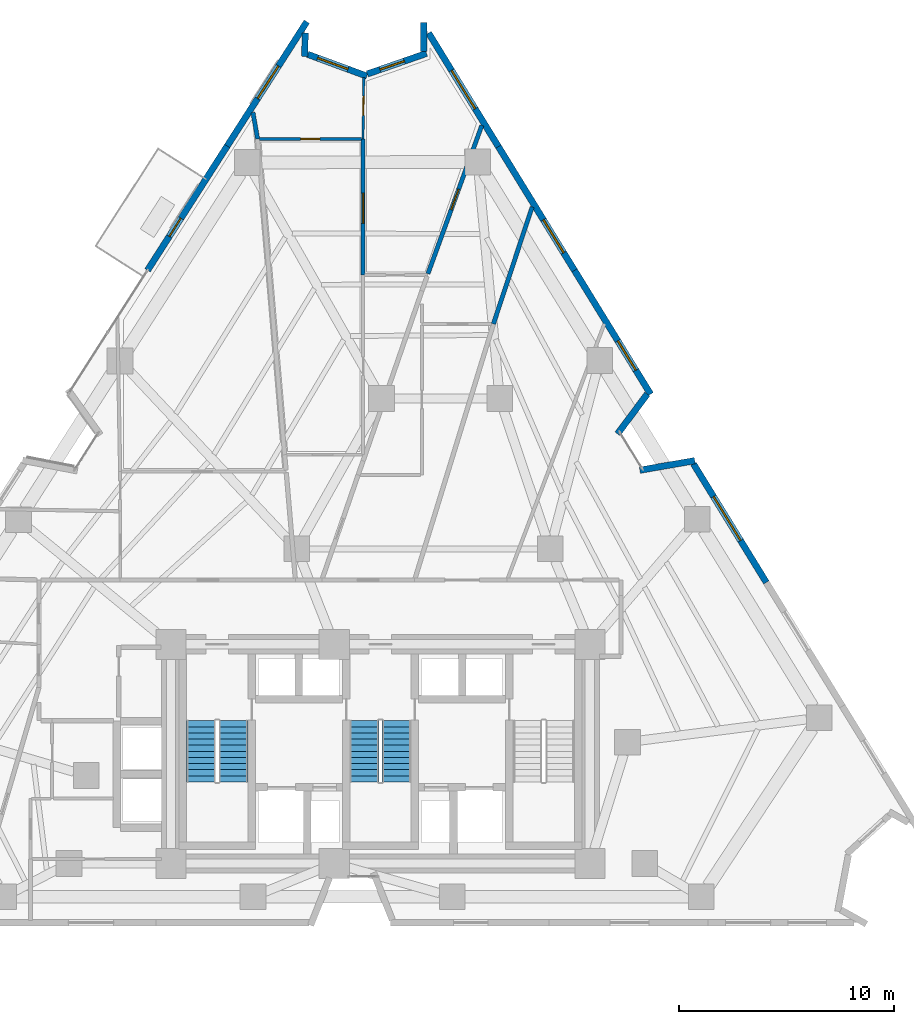
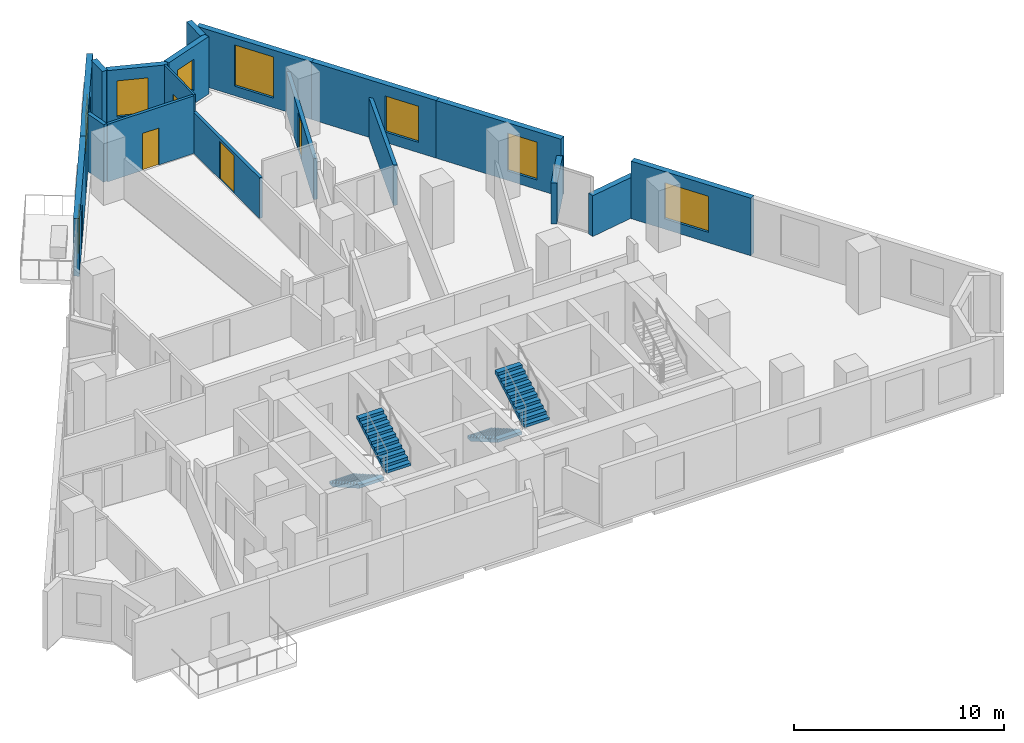
# One storey, part 9 of 13: 18 walls, 7 windows, 5 doors, 4 stair flights, 12 openings, 2 elements without a shape of their own.
"""IFC4 building model written with IfcOpenShell, lengths in metres."""

from ifc_helpers import new_model, si_unit, direction, frame, frame_2d, origin, place, context, subcontext, project, spatial, polyline, rectangle, outline, extrude, material, layer, layer_set, type_object, element, fill, aggregate, save


model = new_model("IFC4")

# Units and contexts
model_context = context("Model", 3, precision=1e-05, world=origin(), true_north=direction((0.0, 1.0)))
body_context = subcontext(model_context, "Body", "Model", "MODEL_VIEW")
ifc_project = project(units=[si_unit("LENGTHUNIT", "METRE"), si_unit("AREAUNIT", "SQUARE_METRE"), si_unit("VOLUMEUNIT", "CUBIC_METRE"), si_unit("PLANEANGLEUNIT", "RADIAN"), si_unit("MASSUNIT", "GRAM", prefix="KILO")], contexts=[model_context])

# Site, building, storey
site_placement = place(None, origin())
site = spatial("IfcSite", under=ifc_project, at=site_placement, CompositionType="ELEMENT")
building_placement = place(site_placement, origin())
building = spatial("IfcBuilding", under=site, at=building_placement, Name="Almagre Mirador Tower", CompositionType="ELEMENT")
storey_placement = place(building_placement, frame((0.0, 0.0, 89.39990234375)))
storey = spatial("IfcBuildingStorey", under=building, at=storey_placement, Name="L22", CompositionType="ELEMENT", Elevation=89.39990234375)

# Wall, opening, door
ifc_material_1 = material(Name="Precast concrete C50/60", Category="concrete")
ifc_layer_1 = layer(ifc_material_1, 0.300048828125)
ifc_layer_set_1 = layer_set([ifc_layer_1], Name="Precast concrete C50/60")
wall_type_1 = type_object("IfcWallType", Name="WAL-EXT-300", PredefinedType="SOLIDWALL", material=ifc_layer_set_1)
wall_1_placement = place(storey_placement, frame((26.45654296875, 32.16796875, 0.0), z_axis=(0.0, 0.0, 1.0), x_axis=(0.539456903464, 0.842013212072, 0.0)))
wall_1 = element("IfcWall", 1, at=wall_1_placement, inside=storey, type_object=wall_type_1, Name="L22 expressed almagre precast frame wall 03", PredefinedType="SOLIDWALL", context=body_context, shape_type="SweptSolid", body=[
    extrude(rectangle(XDim=6.871826171875, YDim=0.300048828125, at=frame_2d((3.43603515625, 0.0))), origin(), (0.0, 0.0, 1.0), 3.35009765625),
])
opening_1_placement = place(wall_1_placement, frame((1.879638671875, 0.0, 0.0)))
opening_1 = element("IfcOpeningElement", 2, at=opening_1_placement, cuts=wall_1, Name="Opening BD-01", PredefinedType="OPENING", context=body_context, shape_type="SweptSolid", body=[
    extrude(rectangle(XDim=1.0, YDim=2.199951171875, at=frame_2d((0.5, 1.10009765625))), frame((0.0, 0.159902, 0.0), z_axis=(0.0, -1.0, 0.0), x_axis=(1.0, 0.0, 0.0)), (0.0, 0.0, 1.0), 0.320049),
])
ifc_material_2 = material(Name="Black anodized aluminium and laminated glass", Category="aluminium")
door_type_1 = type_object("IfcDoorType", Name="DOR-BAL-1000X2200", OperationType="NOTDEFINED", PredefinedType="DOOR", material=ifc_material_2)
door_1_placement = place(opening_1_placement, origin())
door_1 = element("IfcDoor", 3, at=door_1_placement, inside=storey, type_object=door_type_1, Name="DR-0740 L22 west balcony glazed door 2", OperationType="SINGLE_SWING_RIGHT", OverallHeight=2.199951171875, OverallWidth=1.0, PredefinedType="DOOR", context=body_context, shape_type="SweptSolid", body=[
    extrude(rectangle(XDim=1.0, YDim=2.199951171875, at=frame_2d((0.5, 1.10009765625))), frame((0.0, 0.02490234375, 0.0), z_axis=(0.0, -1.0, 0.0), x_axis=(1.0, 0.0, 0.0)), (0.0, 0.0, 1.0), 0.050048828125),
])
fill(opening_1, door_1)

# Wall, opening, window
wall_2_placement = place(storey_placement, frame((30.16357421875, 37.9541015625, 0.0), z_axis=(0.0, 0.0, 1.0), x_axis=(0.539473041718, 0.842002872477, 0.0)))
wall_2 = element("IfcWall", 4, at=wall_2_placement, inside=storey, type_object=wall_type_1, Name="L22 expressed almagre precast frame wall 04", PredefinedType="SOLIDWALL", context=body_context, shape_type="SweptSolid", body=[
    extrude(rectangle(XDim=6.87158203125, YDim=0.300048828125, at=frame_2d((3.435791015625, 0.0))), origin(), (0.0, 0.0, 1.0), 3.35009765625),
])
opening_2_placement = place(wall_2_placement, frame((2.625, 0.0, 0.60009765625)))
opening_2 = element("IfcOpeningElement", 5, at=opening_2_placement, cuts=wall_2, Name="Opening WN-01", PredefinedType="OPENING", context=body_context, shape_type="SweptSolid", body=[
    extrude(rectangle(XDim=1.800048828125, YDim=2.10009765625, at=frame_2d((0.89990234375, 1.050048828125))), frame((0.0, 0.159902, 0.0), z_axis=(0.0, -1.0, 0.0), x_axis=(1.0, 0.0, 0.0)), (0.0, 0.0, 1.0), 0.320049),
])
ifc_material_3 = material(Name="Dark solar-control laminated hurricane glass", Category="glass")
window_type_1 = type_object("IfcWindowType", Name="WIN-1800X2100", PartitioningType="DOUBLE_PANEL_VERTICAL", PredefinedType="WINDOW", material=ifc_material_3)
window_1_placement = place(opening_2_placement, origin())
window_1 = element("IfcWindow", 6, at=window_1_placement, inside=storey, type_object=window_type_1, Name="L22 recessed hurricane window L22-UH-B2", OverallHeight=2.10009765625, OverallWidth=1.800048828125, PartitioningType="SINGLE_PANEL", PredefinedType="WINDOW", context=body_context, shape_type="SweptSolid", body=[
    extrude(rectangle(XDim=1.800048828125, YDim=2.10009765625, at=frame_2d((0.89990234375, 1.050048828125))), frame((0.0, 0.030029296875, 0.0), z_axis=(0.0, -1.0, 0.0), x_axis=(1.0, 0.0, 0.0)), (0.0, 0.0, 1.0), 0.06005859375),
])
fill(opening_2, window_1)

# Wall
wall_3_placement = place(storey_placement, frame((33.791015625, 43.20703125, 0.0), z_axis=(0.0, 0.0, 1.0), x_axis=(-0.009538516763, -0.999954507314, 0.0)))
element("IfcWall", 7, at=wall_3_placement, inside=storey, type_object=wall_type_1, Name="L22 expressed almagre precast frame wall 05", PredefinedType="SOLIDWALL", context=body_context, shape_type="SweptSolid", body=[
    extrude(rectangle(XDim=1.074951171875, YDim=0.300048828125, at=frame_2d((0.53759765625, 0.0))), origin(), (0.0, 0.0, 1.0), 3.35009765625),
])

# Wall, opening, window
wall_4_placement = place(storey_placement, frame((33.90869140625, 42.225341796875, 0.0), z_axis=(0.0, 0.0, 1.0), x_axis=(0.938225446259, -0.346024582931, 0.0)))
wall_4 = element("IfcWall", 8, at=wall_4_placement, inside=storey, type_object=wall_type_1, Name="L22 expressed almagre precast frame wall 06", PredefinedType="SOLIDWALL", context=body_context, shape_type="SweptSolid", body=[
    extrude(rectangle(XDim=2.94140625, YDim=0.300048828125, at=frame_2d((1.470703125, 0.0))), origin(), (0.0, 0.0, 1.0), 3.35009765625),
])
opening_3_placement = place(wall_4_placement, frame((0.5, 0.0, 0.60009765625)))
opening_3 = element("IfcOpeningElement", 9, at=opening_3_placement, cuts=wall_4, Name="Opening WN-03", PredefinedType="OPENING", context=body_context, shape_type="SweptSolid", body=[
    extrude(rectangle(XDim=1.5, YDim=2.10009765625, at=frame_2d((0.75, 1.050048828125))), frame((0.0, 0.159902, 0.0), z_axis=(0.0, -1.0, 0.0), x_axis=(1.0, 0.0, 0.0)), (0.0, 0.0, 1.0), 0.320049),
])
ifc_material_4 = material(Name="Dark solar-control laminated hurricane glass", Category="glass")
window_type_2 = type_object("IfcWindowType", Name="WIN-1500X2100", PartitioningType="DOUBLE_PANEL_VERTICAL", PredefinedType="WINDOW", material=ifc_material_4)
window_2_placement = place(opening_3_placement, origin())
window_2 = element("IfcWindow", 10, at=window_2_placement, inside=storey, type_object=window_type_2, Name="L22 recessed hurricane window L22-UH-B2", OverallHeight=2.10009765625, OverallWidth=1.5, PartitioningType="SINGLE_PANEL", PredefinedType="WINDOW", context=body_context, shape_type="SweptSolid", body=[
    extrude(rectangle(XDim=1.5, YDim=2.10009765625, at=frame_2d((0.75, 1.050048828125))), frame((0.0, 0.030029296875, 0.0), z_axis=(0.0, -1.0, 0.0), x_axis=(1.0, 0.0, 0.0)), (0.0, 0.0, 1.0), 0.06005859375),
])
fill(opening_3, window_2)

wall_5_placement = place(storey_placement, frame((36.688232421875, 41.30859375, 0.0), z_axis=(0.0, 0.0, 1.0), x_axis=(0.944571305793, 0.328306332978, 0.0)))
wall_5 = element("IfcWall", 11, at=wall_5_placement, inside=storey, type_object=wall_type_1, Name="L22 expressed almagre precast frame wall 07", PredefinedType="SOLIDWALL", context=body_context, shape_type="SweptSolid", body=[
    extrude(rectangle(XDim=2.91650390625, YDim=0.300048828125, at=frame_2d((1.458251953125, 0.0))), origin(), (0.0, 0.0, 1.0), 3.35009765625),
])
opening_4_placement = place(wall_5_placement, frame((0.625, 0.0, 0.800048828125)))
opening_4 = element("IfcOpeningElement", 12, at=opening_4_placement, cuts=wall_5, Name="Opening WN-04", PredefinedType="OPENING", context=body_context, shape_type="SweptSolid", body=[
    extrude(rectangle(XDim=1.199951171875, YDim=1.800048828125, at=frame_2d((0.60009765625, 0.89990234375))), frame((0.0, 0.159902, 0.0), z_axis=(0.0, -1.0, 0.0), x_axis=(1.0, 0.0, 0.0)), (0.0, 0.0, 1.0), 0.320049),
])
ifc_material_5 = material(Name="Dark solar-control laminated hurricane glass", Category="glass")
window_type_3 = type_object("IfcWindowType", Name="WIN-1200X1800", PartitioningType="SINGLE_PANEL", PredefinedType="WINDOW", material=ifc_material_5)
window_3_placement = place(opening_4_placement, origin())
window_3 = element("IfcWindow", 13, at=window_3_placement, inside=storey, type_object=window_type_3, Name="L22 recessed hurricane window L22-UH-SL1", OverallHeight=1.800048828125, OverallWidth=1.199951171875, PartitioningType="SINGLE_PANEL", PredefinedType="WINDOW", context=body_context, shape_type="SweptSolid", body=[
    extrude(rectangle(XDim=1.199951171875, YDim=1.800048828125, at=frame_2d((0.60009765625, 0.89990234375))), frame((0.0, 0.030029296875, 0.0), z_axis=(0.0, -1.0, 0.0), x_axis=(1.0, 0.0, 0.0)), (0.0, 0.0, 1.0), 0.06005859375),
])
fill(opening_4, window_3)

# Wall
wall_6_placement = place(storey_placement, frame((39.312255859375, 42.35498046875, 0.0), z_axis=(0.0, 0.0, 1.0), x_axis=(0.008828484753, 0.999961028169, 0.0)))
element("IfcWall", 14, at=wall_6_placement, inside=storey, type_object=wall_type_1, Name="L22 expressed almagre precast frame wall 08", PredefinedType="SOLIDWALL", context=body_context, shape_type="SweptSolid", body=[
    extrude(rectangle(XDim=1.35498046875, YDim=0.300048828125, at=frame_2d((0.677490234375, 0.0))), origin(), (0.0, 0.0, 1.0), 3.35009765625),
])

# Wall, opening, window
wall_7_placement = place(storey_placement, frame((39.540283203125, 43.216552734375, 0.0), z_axis=(0.0, 0.0, 1.0), x_axis=(0.523687194625, -0.851910630398, 0.0)))
wall_7 = element("IfcWall", 15, at=wall_7_placement, inside=storey, type_object=wall_type_1, Name="L22 expressed almagre precast frame wall 09", PredefinedType="SOLIDWALL", context=body_context, shape_type="SweptSolid", body=[
    extrude(rectangle(XDim=6.210205078125, YDim=0.300048828125, at=frame_2d((3.10498046875, 0.0))), origin(), (0.0, 0.0, 1.0), 3.35009765625),
])
opening_5_placement = place(wall_7_placement, frame((2.044921875, 0.0, 0.550048828125)))
opening_5 = element("IfcOpeningElement", 16, at=opening_5_placement, cuts=wall_7, Name="Opening WN-05", PredefinedType="OPENING", context=body_context, shape_type="SweptSolid", body=[
    extrude(rectangle(XDim=2.10009765625, YDim=2.39990234375, at=frame_2d((1.050048828125, 1.199951171875))), frame((0.0, 0.159902, 0.0), z_axis=(0.0, -1.0, 0.0), x_axis=(1.0, 0.0, 0.0)), (0.0, 0.0, 1.0), 0.320049),
])
ifc_material_6 = material(Name="Dark solar-control laminated hurricane glass", Category="glass")
window_type_4 = type_object("IfcWindowType", Name="WIN-2100X2400", PartitioningType="DOUBLE_PANEL_VERTICAL", PredefinedType="WINDOW", material=ifc_material_6)
window_4_placement = place(opening_5_placement, origin())
window_4 = element("IfcWindow", 17, at=window_4_placement, inside=storey, type_object=window_type_4, Name="L22 recessed hurricane window L22-UH-SL1", OverallHeight=2.39990234375, OverallWidth=2.10009765625, PartitioningType="SINGLE_PANEL", PredefinedType="WINDOW", context=body_context, shape_type="SweptSolid", body=[
    extrude(rectangle(XDim=2.10009765625, YDim=2.39990234375, at=frame_2d((1.050048828125, 1.199951171875))), frame((0.0, 0.030029296875, 0.0), z_axis=(0.0, -1.0, 0.0), x_axis=(1.0, 0.0, 0.0)), (0.0, 0.0, 1.0), 0.06005859375),
])
fill(opening_5, window_4)

wall_8_placement = place(storey_placement, frame((42.79248046875, 37.926025390625, 0.0), z_axis=(0.0, 0.0, 1.0), x_axis=(0.523710779633, -0.851896131754, 0.0)))
wall_8 = element("IfcWall", 18, at=wall_8_placement, inside=storey, type_object=wall_type_1, Name="L22 expressed almagre precast frame wall 10", PredefinedType="SOLIDWALL", context=body_context, shape_type="SweptSolid", body=[
    extrude(rectangle(XDim=6.76513671875, YDim=0.300048828125, at=frame_2d((3.382568359375, 0.0))), origin(), (0.0, 0.0, 1.0), 3.35009765625),
])
opening_6_placement = place(wall_8_placement, frame((4.0, 0.0, 0.60009765625)))
opening_6 = element("IfcOpeningElement", 19, at=opening_6_placement, cuts=wall_8, Name="Opening WN-01", PredefinedType="OPENING", context=body_context, shape_type="SweptSolid", body=[
    extrude(rectangle(XDim=1.800048828125, YDim=2.10009765625, at=frame_2d((0.89990234375, 1.050048828125))), frame((0.0, 0.159902, 0.0), z_axis=(0.0, -1.0, 0.0), x_axis=(1.0, 0.0, 0.0)), (0.0, 0.0, 1.0), 0.320049),
])
window_5_placement = place(opening_6_placement, origin())
window_5 = element("IfcWindow", 20, at=window_5_placement, inside=storey, type_object=window_type_1, Name="L22 recessed hurricane window L22-RST-G", OverallHeight=2.10009765625, OverallWidth=1.800048828125, PartitioningType="SINGLE_PANEL", PredefinedType="WINDOW", context=body_context, shape_type="SweptSolid", body=[
    extrude(rectangle(XDim=1.800048828125, YDim=2.10009765625, at=frame_2d((0.89990234375, 1.050048828125))), frame((0.0, 0.030029296875, 0.0), z_axis=(0.0, -1.0, 0.0), x_axis=(1.0, 0.0, 0.0)), (0.0, 0.0, 1.0), 0.06005859375),
])
fill(opening_6, window_5)

wall_9_placement = place(storey_placement, frame((46.33544921875, 32.162841796875, 0.0), z_axis=(0.0, 0.0, 1.0), x_axis=(0.523710779633, -0.851896131754, 0.0)))
wall_9 = element("IfcWall", 21, at=wall_9_placement, inside=storey, type_object=wall_type_1, Name="L22 expressed almagre precast frame wall 11", PredefinedType="SOLIDWALL", context=body_context, shape_type="SweptSolid", body=[
    extrude(rectangle(XDim=6.76513671875, YDim=0.300048828125, at=frame_2d((3.382568359375, 0.0))), origin(), (0.0, 0.0, 1.0), 3.35009765625),
])
opening_7_placement = place(wall_9_placement, frame((3.85009765625, 0.0, 0.550048828125)))
opening_7 = element("IfcOpeningElement", 22, at=opening_7_placement, cuts=wall_9, Name="Opening WN-06", PredefinedType="OPENING", context=body_context, shape_type="SweptSolid", body=[
    extrude(rectangle(XDim=1.60009765625, YDim=2.199951171875, at=frame_2d((0.800048828125, 1.10009765625))), frame((0.0, 0.159902, 0.0), z_axis=(0.0, -1.0, 0.0), x_axis=(1.0, 0.0, 0.0)), (0.0, 0.0, 1.0), 0.320049),
])
ifc_material_7 = material(Name="Dark solar-control laminated hurricane glass", Category="glass")
window_type_5 = type_object("IfcWindowType", Name="WIN-1600X2200", PartitioningType="DOUBLE_PANEL_VERTICAL", PredefinedType="WINDOW", material=ifc_material_7)
window_6_placement = place(opening_7_placement, origin())
window_6 = element("IfcWindow", 23, at=window_6_placement, inside=storey, type_object=window_type_5, Name="L22 recessed hurricane window L22-RST-E", OverallHeight=2.199951171875, OverallWidth=1.60009765625, PartitioningType="SINGLE_PANEL", PredefinedType="WINDOW", context=body_context, shape_type="SweptSolid", body=[
    extrude(rectangle(XDim=1.60009765625, YDim=2.199951171875, at=frame_2d((0.800048828125, 1.10009765625))), frame((0.0, 0.030029296875, 0.0), z_axis=(0.0, -1.0, 0.0), x_axis=(1.0, 0.0, 0.0)), (0.0, 0.0, 1.0), 0.06005859375),
])
fill(opening_7, window_6)

# Walls
wall_10_placement = place(storey_placement, frame((49.72119140625, 26.40673828125, 0.0), z_axis=(0.0, 0.0, 1.0), x_axis=(-0.597938773595, -0.801541778719, 0.0)))
element("IfcWall", 24, at=wall_10_placement, inside=storey, type_object=wall_type_1, Name="L22 expressed almagre precast frame wall 12", PredefinedType="SOLIDWALL", context=body_context, shape_type="SweptSolid", body=[
    extrude(rectangle(XDim=2.314208984375, YDim=0.300048828125, at=frame_2d((1.1572265625, 0.0))), origin(), (0.0, 0.0, 1.0), 2.375),
])
wall_11_placement = place(storey_placement, frame((49.378173828125, 22.860107421875, 0.0), z_axis=(0.0, 0.0, 1.0), x_axis=(0.985177184626, 0.171539834708, 0.0)))
element("IfcWall", 25, at=wall_11_placement, inside=storey, type_object=wall_type_1, Name="L22 expressed almagre precast frame wall 13", PredefinedType="SOLIDWALL", context=body_context, shape_type="SweptSolid", body=[
    extrude(rectangle(XDim=2.593017578125, YDim=0.300048828125, at=frame_2d((1.29638671875, 0.0))), origin(), (0.0, 0.0, 1.0), 2.375),
])

# Wall, opening, window
wall_12_placement = place(storey_placement, frame((51.868408203125, 23.161865234375, 0.0), z_axis=(0.0, 0.0, 1.0), x_axis=(0.523700384019, -0.851902522462, 0.0)))
wall_12 = element("IfcWall", 26, at=wall_12_placement, inside=storey, type_object=wall_type_1, Name="L22 expressed almagre precast frame wall 14", PredefinedType="SOLIDWALL", context=body_context, shape_type="SweptSolid", body=[
    extrude(rectangle(XDim=6.485107421875, YDim=0.300048828125, at=frame_2d((3.24267578125, 0.0))), origin(), (0.0, 0.0, 1.0), 3.35009765625),
])
opening_8_placement = place(wall_12_placement, frame((1.794921875, 0.0, 0.60009765625)))
opening_8 = element("IfcOpeningElement", 27, at=opening_8_placement, cuts=wall_12, Name="Opening WN-02", PredefinedType="OPENING", context=body_context, shape_type="SweptSolid", body=[
    extrude(rectangle(XDim=2.39990234375, YDim=2.10009765625, at=frame_2d((1.199951171875, 1.050048828125))), frame((0.0, 0.159902, 0.0), z_axis=(0.0, -1.0, 0.0), x_axis=(1.0, 0.0, 0.0)), (0.0, 0.0, 1.0), 0.320049),
])
ifc_material_8 = material(Name="Dark solar-control laminated hurricane glass", Category="glass")
window_type_6 = type_object("IfcWindowType", Name="WIN-2400X2100", PartitioningType="TRIPLE_PANEL_VERTICAL", PredefinedType="WINDOW", material=ifc_material_8)
window_7_placement = place(opening_8_placement, origin())
window_7 = element("IfcWindow", 28, at=window_7_placement, inside=storey, type_object=window_type_6, Name="L22 recessed hurricane window L22-RST-E", OverallHeight=2.10009765625, OverallWidth=2.39990234375, PartitioningType="SINGLE_PANEL", PredefinedType="WINDOW", context=body_context, shape_type="SweptSolid", body=[
    extrude(rectangle(XDim=2.39990234375, YDim=2.10009765625, at=frame_2d((1.199951171875, 1.050048828125))), frame((0.0, 0.030029296875, 0.0), z_axis=(0.0, -1.0, 0.0), x_axis=(1.0, 0.0, 0.0)), (0.0, 0.0, 1.0), 0.06005859375),
])
fill(opening_8, window_7)

# Wall, opening, door
ifc_material_9 = material(Name="Gypsum acoustic stud partition", Category="other")
ifc_layer_2 = layer(ifc_material_9, 0.10009765625)
ifc_layer_set_2 = layer_set([ifc_layer_2], Name="Gypsum acoustic stud partition")
wall_type_2 = type_object("IfcWallType", Name="WAL-PRT-100-CLS", PredefinedType="PARTITIONING", material=ifc_layer_set_2)
wall_13_placement = place(storey_placement, frame((36.52294921875, 41.154052734375, 0.0), z_axis=(0.0, 0.0, 1.0), x_axis=(-0.011467135897, -0.999934250236, 0.0)))
wall_13 = element("IfcWall", 29, at=wall_13_placement, inside=storey, type_object=wall_type_2, Name="L22 interior partition 059", PredefinedType="PARTITIONING", context=body_context, shape_type="SweptSolid", body=[
    extrude(rectangle(XDim=2.874267578125, YDim=0.10009765625, at=frame_2d((1.43701171875, 0.0))), origin(), (0.0, 0.0, 1.0), 3.35009765625),
])
opening_9_placement = place(wall_13_placement, frame((0.87841796875, 0.0, 0.0)))
opening_9 = element("IfcOpeningElement", 30, at=opening_9_placement, cuts=wall_13, Name="Opening UD-02", PredefinedType="OPENING", context=body_context, shape_type="SweptSolid", body=[
    extrude(rectangle(XDim=0.89990234375, YDim=2.14990234375, at=frame_2d((0.449951171875, 1.074951171875))), frame((0.0, 0.060049, 0.0), z_axis=(0.0, -1.0, 0.0), x_axis=(1.0, 0.0, 0.0)), (0.0, 0.0, 1.0), 0.120098),
])
ifc_material_10 = material(Name="Solid American walnut timber", Category="wood")
door_type_2 = type_object("IfcDoorType", Name="DOR-UNR-900X2150", OperationType="NOTDEFINED", PredefinedType="DOOR", material=ifc_material_10)
door_2_placement = place(opening_9_placement, origin())
door_2 = element("IfcDoor", 31, at=door_2_placement, inside=storey, type_object=door_type_2, Name="DR-0770 L22 interior door L22-UH-SL1 to L22-UH-B2", OperationType="SINGLE_SWING_LEFT", OverallHeight=2.14990234375, OverallWidth=0.89990234375, PredefinedType="DOOR", context=body_context, shape_type="SweptSolid", body=[
    extrude(rectangle(XDim=0.89990234375, YDim=2.14990234375, at=frame_2d((0.449951171875, 1.074951171875))), frame((0.0, 0.02490234375, 0.0), z_axis=(0.0, -1.0, 0.0), x_axis=(1.0, 0.0, 0.0)), (0.0, 0.0, 1.0), 0.050048828125),
])
fill(opening_9, door_2)

ifc_material_11 = material(Name="Gypsum acoustic stud partition", Category="other")
ifc_layer_3 = layer(ifc_material_11, 0.14990234375)
ifc_layer_set_3 = layer_set([ifc_layer_3], Name="Gypsum acoustic stud partition")
wall_type_3 = type_object("IfcWallType", Name="WAL-PRT-150-STD", PredefinedType="PARTITIONING", material=ifc_layer_set_3)
wall_14_placement = place(storey_placement, frame((36.41748046875, 38.280029296875, 0.0), z_axis=(0.0, 0.0, 1.0), x_axis=(-1.0, 0.0, 0.0)))
wall_14 = element("IfcWall", 32, at=wall_14_placement, inside=storey, type_object=wall_type_3, Name="L22 interior partition 052", PredefinedType="PARTITIONING", context=body_context, shape_type="SweptSolid", body=[
    extrude(rectangle(XDim=4.75244140625, YDim=0.14990234375, at=frame_2d((2.376220703125, 0.0))), origin(), (0.0, 0.0, 1.0), 3.35009765625),
])
opening_10_placement = place(wall_14_placement, frame((1.9326171875, 0.0, 0.0)))
opening_10 = element("IfcOpeningElement", 33, at=opening_10_placement, cuts=wall_14, Name="Opening UD-02", PredefinedType="OPENING", context=body_context, shape_type="SweptSolid", body=[
    extrude(rectangle(XDim=0.89990234375, YDim=2.14990234375, at=frame_2d((0.449951171875, 1.074951171875))), frame((0.0, 0.084951, 0.0), z_axis=(0.0, -1.0, 0.0), x_axis=(1.0, 0.0, 0.0)), (0.0, 0.0, 1.0), 0.169902),
])
door_3_placement = place(opening_10_placement, origin())
door_3 = element("IfcDoor", 34, at=door_3_placement, inside=storey, type_object=door_type_2, Name="DR-0760 L22 interior door L22-UH-LV to L22-UH-B2", OperationType="SINGLE_SWING_RIGHT", OverallHeight=2.14990234375, OverallWidth=0.89990234375, PredefinedType="DOOR", context=body_context, shape_type="SweptSolid", body=[
    extrude(rectangle(XDim=0.89990234375, YDim=2.14990234375, at=frame_2d((0.449951171875, 1.074951171875))), frame((0.0, 0.02490234375, 0.0), z_axis=(0.0, -1.0, 0.0), x_axis=(1.0, 0.0, 0.0)), (0.0, 0.0, 1.0), 0.050048828125),
])
fill(opening_10, door_3)

ifc_material_12 = material(Name="Gypsum acoustic stud partition", Category="other")
ifc_layer_4 = layer(ifc_material_12, 0.175048828125)
ifc_layer_set_4 = layer_set([ifc_layer_4], Name="Gypsum acoustic stud partition")
wall_type_4 = type_object("IfcWallType", Name="WAL-PRT-175-AC", PredefinedType="PARTITIONING", material=ifc_layer_set_4)
wall_15_placement = place(storey_placement, frame((36.489990234375, 31.949951171875, 0.0), z_axis=(0.0, 0.0, 1.0), x_axis=(0.0, 1.0, 0.0)))
wall_15 = element("IfcWall", 35, at=wall_15_placement, inside=storey, type_object=wall_type_4, Name="L22 interior partition 051", PredefinedType="PARTITIONING", context=body_context, shape_type="SweptSolid", body=[
    extrude(rectangle(XDim=6.330078125, YDim=0.175048828125, at=frame_2d((3.1650390625, 0.0))), origin(), (0.0, 0.0, 1.0), 2.3701171875),
])
opening_11_placement = place(wall_15_placement, frame((2.405517578125, 0.0, 0.0)))
opening_11 = element("IfcOpeningElement", 36, at=opening_11_placement, cuts=wall_15, Name="Opening UD-05", PredefinedType="OPENING", context=body_context, shape_type="SweptSolid", body=[
    extrude(rectangle(XDim=1.39990234375, YDim=2.199951171875, at=frame_2d((0.699951171875, 1.10009765625))), frame((0.0, 0.097402, 0.0), z_axis=(0.0, -1.0, 0.0), x_axis=(1.0, 0.0, 0.0)), (0.0, 0.0, 1.0), 0.195049),
])
ifc_material_13 = material(Name="Glazed walnut salon pair", Category="wood")
door_type_3 = type_object("IfcDoorType", Name="DOR-UNR-1400X2200", OperationType="DOUBLE_DOOR_SINGLE_SWING", PredefinedType="DOOR", material=ifc_material_13)
door_4_placement = place(opening_11_placement, origin())
door_4 = element("IfcDoor", 37, at=door_4_placement, inside=storey, type_object=door_type_3, Name="DR-0767 L22 interior door L22-UH-LV to L22-UH-SL1", OperationType="DOUBLE_DOOR_SINGLE_SWING", OverallHeight=2.199951171875, OverallWidth=1.39990234375, PredefinedType="DOOR", context=body_context, shape_type="SweptSolid", body=[
    extrude(rectangle(XDim=1.39990234375, YDim=2.199951171875, at=frame_2d((0.699951171875, 1.10009765625))), frame((0.0, 0.02490234375, 0.0), z_axis=(0.0, -1.0, 0.0), x_axis=(1.0, 0.0, 0.0)), (0.0, 0.0, 1.0), 0.050048828125),
])
fill(opening_11, door_4)

# Walls
ifc_material_14 = material(Name="Gypsum acoustic stud partition", Category="other")
ifc_layer_5 = layer(ifc_material_14, 0.199951171875)
ifc_layer_set_5 = layer_set([ifc_layer_5], Name="Gypsum acoustic stud partition")
wall_type_5 = type_object("IfcWallType", Name="WAL-PRT-200-EI60", PredefinedType="PARTITIONING", material=ifc_layer_set_5)
wall_16_placement = place(storey_placement, frame((31.580078125, 38.280029296875, 0.0), z_axis=(0.0, 0.0, 1.0), x_axis=(-0.172186828925, 0.985064310563, 0.0)))
element("IfcWall", 38, at=wall_16_placement, inside=storey, type_object=wall_type_5, Name="L22 interior partition 046", PredefinedType="PARTITIONING", context=body_context, shape_type="SweptSolid", body=[
    extrude(rectangle(XDim=1.2548828125, YDim=0.199951171875, at=frame_2d((0.62744140625, 0.0))), origin(), (0.0, 0.0, 1.0), 3.35009765625),
])
wall_17_placement = place(storey_placement, frame((44.363037109375, 35.118896484375, 0.0), z_axis=(0.0, 0.0, 1.0), x_axis=(-0.314134186537, -0.949378593001, 0.0)))
element("IfcWall", 39, at=wall_17_placement, inside=storey, type_object=wall_type_5, Name="L22 interior partition 048", PredefinedType="PARTITIONING", context=body_context, shape_type="SweptSolid", body=[
    extrude(rectangle(XDim=5.739501953125, YDim=0.199951171875, at=frame_2d((2.86962890625, 0.0))), origin(), (0.0, 0.0, 1.0), 2.34521484375),
])

# Wall, opening, door
wall_18_placement = place(storey_placement, frame((39.51025390625, 32.006591796875, 0.0), z_axis=(0.0, 0.0, 1.0), x_axis=(0.341444125936, 0.939902074082, 0.0)))
wall_18 = element("IfcWall", 40, at=wall_18_placement, inside=storey, type_object=wall_type_5, Name="L22 interior partition 060", PredefinedType="PARTITIONING", context=body_context, shape_type="SweptSolid", body=[
    extrude(rectangle(XDim=7.3447265625, YDim=0.199951171875, at=frame_2d((3.67236328125, 0.0))), origin(), (0.0, 0.0, 1.0), 2.3701171875),
])
opening_12_placement = place(wall_18_placement, frame((3.18408203125, 0.0, 0.0)))
opening_12 = element("IfcOpeningElement", 41, at=opening_12_placement, cuts=wall_18, Name="Opening ID-01", PredefinedType="OPENING", context=body_context, shape_type="SweptSolid", body=[
    extrude(rectangle(XDim=1.0, YDim=2.199951171875, at=frame_2d((0.5, 1.10009765625))), frame((0.0, 0.110098, 0.0), z_axis=(0.0, -1.0, 0.0), x_axis=(1.0, 0.0, 0.0)), (0.0, 0.0, 1.0), 0.219951),
])
ifc_material_15 = material(Name="Fire-rated walnut timber", Category="wood")
door_type_4 = type_object("IfcDoorType", Name="DOR-FD60-1000X2200", OperationType="NOTDEFINED", PredefinedType="DOOR", material=ifc_material_15)
door_5_placement = place(opening_12_placement, origin())
door_5 = element("IfcDoor", 42, at=door_5_placement, inside=storey, type_object=door_type_4, Name="DR-0765 L22 interior door L22-UH-SL1 to L22-UJ-KT", OperationType="SINGLE_SWING_LEFT", OverallHeight=2.199951171875, OverallWidth=1.0, PredefinedType="DOOR", context=body_context, shape_type="SweptSolid", body=[
    extrude(rectangle(XDim=1.0, YDim=2.199951171875, at=frame_2d((0.5, 1.10009765625))), frame((0.0, 0.02490234375, 0.0), z_axis=(0.0, -1.0, 0.0), x_axis=(1.0, 0.0, 0.0)), (0.0, 0.0, 1.0), 0.050048828125),
])
fill(opening_12, door_5)

# Stair, stair flights
ifc_material_16 = material(Name="Concrete C45/55", Category="concrete")
stair_type = type_object("IfcStairType", Name="STR-DL-3600", PredefinedType="HALF_TURN_STAIR", material=ifc_material_16)
stair_1_placement = place(storey_placement, origin())
stair_1 = element("IfcStair", 43, at=stair_1_placement, inside=storey, type_object=stair_type, Name="L22 Protected exit stair ST-1", PredefinedType="HALF_TURN_STAIR")
ifc_material_17 = material(Name="Concrete C45/55", Category="concrete")
stair_flight_type = type_object("IfcStairFlightType", Name="FLT-DL-3600", PredefinedType="STRAIGHT", material=ifc_material_17)
stair_flight_1_placement = place(storey_placement, frame((28.949951171875, 11.199951171875, 0.0), z_axis=(0.0, 0.0, 1.0), x_axis=(0.0, -1.0, 0.0)))
stair_flight_1 = element("IfcStairFlight", 44, at=stair_flight_1_placement, type_object=stair_flight_type, Name="ST-1 flight 1", NumberOfRisers=11, NumberOfTreads=10, PredefinedType="STRAIGHT", RiserHeight=0.163636364, TreadLength=0.285, context=body_context, shape_type="SweptSolid", body=[
    extrude(outline(polyline([(0.0, 0.0), (0.0, 0.16357421875), (0.284912109375, 0.16357421875), (0.284912109375, 0.327392578125), (0.570068359375, 0.327392578125), (0.570068359375, 0.490966796875), (0.85498046875, 0.490966796875), (0.85498046875, 0.654541015625), (1.139892578125, 0.654541015625), (1.139892578125, 0.818115234375), (1.425048828125, 0.818115234375), (1.425048828125, 0.98193359375), (1.7099609375, 0.98193359375), (1.7099609375, 1.1455078125), (1.9951171875, 1.1455078125), (1.9951171875, 1.30908203125), (2.280029296875, 1.30908203125), (2.280029296875, 1.47265625), (2.56494140625, 1.47265625), (2.56494140625, 1.636474609375), (2.85009765625, 1.636474609375), (2.85009765625, 1.800048828125), (2.85009765625, 1.463623046875), (0.301025390625, 0.0), (0.0, 0.0)])), frame((0.0, 0.675048828125, 0.0), z_axis=(0.0, -1.0, 0.0), x_axis=(1.0, 0.0, 0.0)), (0.0, 0.0, 1.0), 1.35009765625),
])
stair_flight_2_placement = place(storey_placement, frame((30.449951171875, 8.35009765625, 1.800048828125), z_axis=(0.0, 0.0, 1.0), x_axis=(0.0, 1.0, 0.0)))
stair_flight_2 = element("IfcStairFlight", 45, at=stair_flight_2_placement, type_object=stair_flight_type, Name="ST-1 flight 2", NumberOfRisers=11, NumberOfTreads=10, PredefinedType="STRAIGHT", RiserHeight=0.163636364, TreadLength=0.285, context=body_context, shape_type="SweptSolid", body=[
    extrude(outline(polyline([(0.0, 0.0), (0.0, 0.16357421875), (0.284912109375, 0.16357421875), (0.284912109375, 0.327392578125), (0.570068359375, 0.327392578125), (0.570068359375, 0.490966796875), (0.85498046875, 0.490966796875), (0.85498046875, 0.654541015625), (1.139892578125, 0.654541015625), (1.139892578125, 0.818115234375), (1.425048828125, 0.818115234375), (1.425048828125, 0.98193359375), (1.7099609375, 0.98193359375), (1.7099609375, 1.1455078125), (1.9951171875, 1.1455078125), (1.9951171875, 1.30908203125), (2.280029296875, 1.30908203125), (2.280029296875, 1.47265625), (2.56494140625, 1.47265625), (2.56494140625, 1.636474609375), (2.85009765625, 1.636474609375), (2.85009765625, 1.800048828125), (2.85009765625, 1.463623046875), (0.301025390625, 0.0), (0.0, 0.0)])), frame((0.0, 0.675048828125, 0.0), z_axis=(0.0, -1.0, 0.0), x_axis=(1.0, 0.0, 0.0)), (0.0, 0.0, 1.0), 1.35009765625),
])
aggregate(stair_1, [stair_flight_1, stair_flight_2])

stair_2_placement = place(storey_placement, origin())
stair_2 = element("IfcStair", 46, at=stair_2_placement, inside=storey, type_object=stair_type, Name="L22 Protected exit stair ST-2", PredefinedType="HALF_TURN_STAIR")
stair_flight_3_placement = place(storey_placement, frame((36.550048828125, 11.199951171875, 0.0), z_axis=(0.0, 0.0, 1.0), x_axis=(0.0, -1.0, 0.0)))
stair_flight_3 = element("IfcStairFlight", 47, at=stair_flight_3_placement, type_object=stair_flight_type, Name="ST-2 flight 1", NumberOfRisers=11, NumberOfTreads=10, PredefinedType="STRAIGHT", RiserHeight=0.163636364, TreadLength=0.285, context=body_context, shape_type="SweptSolid", body=[
    extrude(outline(polyline([(0.0, 0.0), (0.0, 0.16357421875), (0.284912109375, 0.16357421875), (0.284912109375, 0.327392578125), (0.570068359375, 0.327392578125), (0.570068359375, 0.490966796875), (0.85498046875, 0.490966796875), (0.85498046875, 0.654541015625), (1.139892578125, 0.654541015625), (1.139892578125, 0.818115234375), (1.425048828125, 0.818115234375), (1.425048828125, 0.98193359375), (1.7099609375, 0.98193359375), (1.7099609375, 1.1455078125), (1.9951171875, 1.1455078125), (1.9951171875, 1.30908203125), (2.280029296875, 1.30908203125), (2.280029296875, 1.47265625), (2.56494140625, 1.47265625), (2.56494140625, 1.636474609375), (2.85009765625, 1.636474609375), (2.85009765625, 1.800048828125), (2.85009765625, 1.463623046875), (0.301025390625, 0.0), (0.0, 0.0)])), frame((0.0, 0.675048828125, 0.0), z_axis=(0.0, -1.0, 0.0), x_axis=(1.0, 0.0, 0.0)), (0.0, 0.0, 1.0), 1.35009765625),
])
stair_flight_4_placement = place(storey_placement, frame((38.050048828125, 8.35009765625, 1.800048828125), z_axis=(0.0, 0.0, 1.0), x_axis=(0.0, 1.0, 0.0)))
stair_flight_4 = element("IfcStairFlight", 48, at=stair_flight_4_placement, type_object=stair_flight_type, Name="ST-2 flight 2", NumberOfRisers=11, NumberOfTreads=10, PredefinedType="STRAIGHT", RiserHeight=0.163636364, TreadLength=0.285, context=body_context, shape_type="SweptSolid", body=[
    extrude(outline(polyline([(0.0, 0.0), (0.0, 0.16357421875), (0.284912109375, 0.16357421875), (0.284912109375, 0.327392578125), (0.570068359375, 0.327392578125), (0.570068359375, 0.490966796875), (0.85498046875, 0.490966796875), (0.85498046875, 0.654541015625), (1.139892578125, 0.654541015625), (1.139892578125, 0.818115234375), (1.425048828125, 0.818115234375), (1.425048828125, 0.98193359375), (1.7099609375, 0.98193359375), (1.7099609375, 1.1455078125), (1.9951171875, 1.1455078125), (1.9951171875, 1.30908203125), (2.280029296875, 1.30908203125), (2.280029296875, 1.47265625), (2.56494140625, 1.47265625), (2.56494140625, 1.636474609375), (2.85009765625, 1.636474609375), (2.85009765625, 1.800048828125), (2.85009765625, 1.463623046875), (0.301025390625, 0.0), (0.0, 0.0)])), frame((0.0, 0.675048828125, 0.0), z_axis=(0.0, -1.0, 0.0), x_axis=(1.0, 0.0, 0.0)), (0.0, 0.0, 1.0), 1.35009765625),
])
aggregate(stair_2, [stair_flight_3, stair_flight_4])

save(model, "model.ifc")
